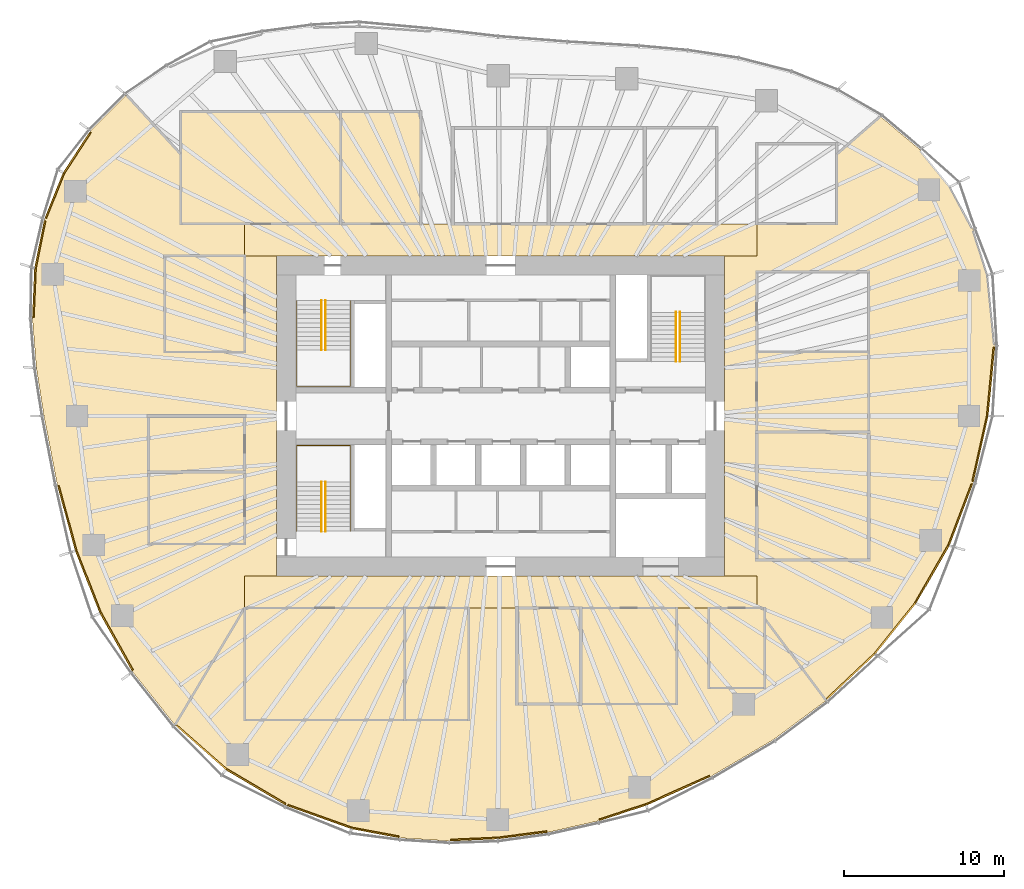
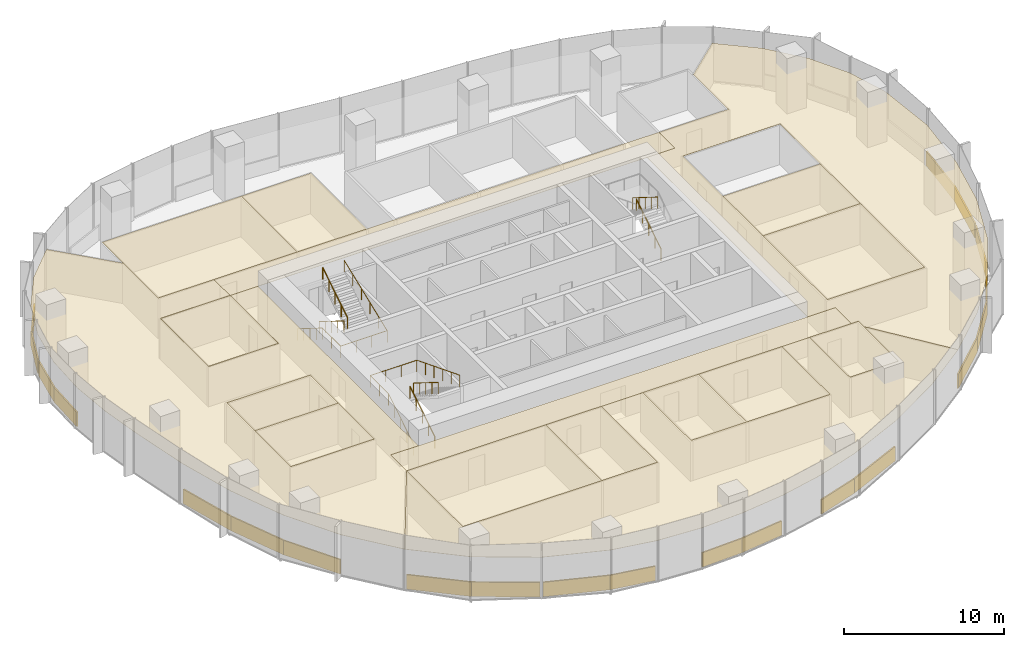
# One storey, part 17 of 18: 38 coverings, 8 railings.
"""IFC4 building model written with IfcOpenShell, lengths in metres."""

from ifc_helpers import new_model, si_unit, direction, frame, origin, origin_2d, place, context, subcontext, project, spatial, polyline, rectangle, circle, outline, extrude, material, layer, layer_set, type_object, element, save


model = new_model("IFC4")

# Units and contexts
model_context = context("Model", 3, precision=1e-05, world=origin(), true_north=direction((0.0, 1.0)))
body_context = subcontext(model_context, "Body", "Model", "MODEL_VIEW")
ifc_project = project(units=[si_unit("LENGTHUNIT", "METRE"), si_unit("AREAUNIT", "SQUARE_METRE"), si_unit("VOLUMEUNIT", "CUBIC_METRE"), si_unit("PLANEANGLEUNIT", "RADIAN"), si_unit("MASSUNIT", "GRAM", prefix="KILO")], contexts=[model_context])

# Site, building, storey
site_placement = place(None, origin())
site = spatial("IfcSite", under=ifc_project, at=site_placement, CompositionType="ELEMENT")
building_placement = place(site_placement, origin())
building = spatial("IfcBuilding", under=site, at=building_placement, Name="Ghaith Harvest Tower", CompositionType="ELEMENT")
storey_placement = place(building_placement, frame((0.0, 0.0, 163.800048828125)))
storey = spatial("IfcBuildingStorey", under=building, at=storey_placement, Name="L35", CompositionType="ELEMENT", Elevation=163.800048828125)

# Coverings
ifc_material_1 = material(Name="Mineral fibre ceiling tile", Category="gypsum")
ifc_layer_1 = layer(ifc_material_1, 0.02001953125)
ifc_layer_set_1 = layer_set([ifc_layer_1], Name="CEILING C1")
covering_type_1 = type_object("IfcCoveringType", Name="CEILING C1", PredefinedType="CEILING", material=ifc_layer_set_1)
covering_1_placement = place(storey_placement, frame((0.0, 0.0, 3.0)))
element("IfcCovering", 1, at=covering_1_placement, inside=storey, type_object=covering_type_1, Name="Ceiling L35-01", PredefinedType="CEILING", context=body_context, shape_type="SweptSolid", body=[
    extrude(outline(polyline([(-16.0, -19.0), (-6.0, -19.0), (-6.0, -12.0), (-16.0, -12.0), (-16.0, -19.0)])), origin(), (0.0, 0.0, 1.0), 0.02001953125),
])
covering_2_placement = place(storey_placement, frame((0.0, 0.0, 3.0)))
element("IfcCovering", 2, at=covering_2_placement, inside=storey, type_object=covering_type_1, Name="Ceiling L35-02", PredefinedType="CEILING", context=body_context, shape_type="SweptSolid", body=[
    extrude(outline(polyline([(-6.0, -19.0), (-2.0, -19.0), (-2.0, -12.0), (-6.0, -12.0), (-6.0, -19.0)])), origin(), (0.0, 0.0, 1.0), 0.02001953125),
])
covering_3_placement = place(storey_placement, frame((0.0, 0.0, 3.0)))
element("IfcCovering", 3, at=covering_3_placement, inside=storey, type_object=covering_type_1, Name="Ceiling L35-03", PredefinedType="CEILING", context=body_context, shape_type="SweptSolid", body=[
    extrude(outline(polyline([(1.0, -18.0), (5.0, -18.0), (5.0, -12.0), (1.0, -12.0), (1.0, -18.0)])), origin(), (0.0, 0.0, 1.0), 0.02001953125),
])
covering_4_placement = place(storey_placement, frame((0.0, 0.0, 3.0)))
element("IfcCovering", 4, at=covering_4_placement, inside=storey, type_object=covering_type_1, Name="Ceiling L35-04", PredefinedType="CEILING", context=body_context, shape_type="SweptSolid", body=[
    extrude(outline(polyline([(5.0, -18.0), (11.0, -18.0), (11.0, -12.0), (5.0, -12.0), (5.0, -18.0)])), origin(), (0.0, 0.0, 1.0), 0.02001953125),
])
covering_5_placement = place(storey_placement, frame((0.0, 0.0, 3.0)))
element("IfcCovering", 5, at=covering_5_placement, inside=storey, type_object=covering_type_1, Name="Ceiling L35-05", PredefinedType="CEILING", context=body_context, shape_type="SweptSolid", body=[
    extrude(outline(polyline([(-20.0, 12.0), (-10.0, 12.0), (-10.0, 19.0), (-20.0, 19.0), (-20.0, 12.0)])), origin(), (0.0, 0.0, 1.0), 0.02001953125),
])
covering_6_placement = place(storey_placement, frame((0.0, 0.0, 3.0)))
element("IfcCovering", 6, at=covering_6_placement, inside=storey, type_object=covering_type_1, Name="Ceiling L35-06", PredefinedType="CEILING", context=body_context, shape_type="SweptSolid", body=[
    extrude(outline(polyline([(-10.0, 12.0), (-5.0, 12.0), (-5.0, 19.0), (-10.0, 19.0), (-10.0, 12.0)])), origin(), (0.0, 0.0, 1.0), 0.02001953125),
])
covering_7_placement = place(storey_placement, frame((0.0, 0.0, 3.0)))
element("IfcCovering", 7, at=covering_7_placement, inside=storey, type_object=covering_type_1, Name="Ceiling L35-10", PredefinedType="CEILING", context=body_context, shape_type="SweptSolid", body=[
    extrude(outline(polyline([(16.0, -9.0), (23.0, -9.0), (23.0, -1.0), (16.0, -1.0), (16.0, -9.0)])), origin(), (0.0, 0.0, 1.0), 0.02001953125),
])
covering_8_placement = place(storey_placement, frame((0.0, 0.0, 3.0)))
element("IfcCovering", 8, at=covering_8_placement, inside=storey, type_object=covering_type_1, Name="Ceiling L35-11", PredefinedType="CEILING", context=body_context, shape_type="SweptSolid", body=[
    extrude(outline(polyline([(16.0, -1.0), (23.0, -1.0), (23.0, 4.0), (16.0, 4.0), (16.0, -1.0)])), origin(), (0.0, 0.0, 1.0), 0.02001953125),
])
covering_9_placement = place(storey_placement, frame((0.0, 0.0, 3.0)))
element("IfcCovering", 9, at=covering_9_placement, inside=storey, type_object=covering_type_1, Name="Ceiling L35-13", PredefinedType="CEILING", context=body_context, shape_type="SweptSolid", body=[
    extrude(outline(polyline([(-22.0, -8.0), (-16.0, -8.0), (-16.0, -3.5), (-22.0, -3.5), (-22.0, -8.0)])), origin(), (0.0, 0.0, 1.0), 0.02001953125),
])
covering_10_placement = place(storey_placement, frame((0.0, 0.0, 3.0)))
element("IfcCovering", 10, at=covering_10_placement, inside=storey, type_object=covering_type_1, Name="Ceiling L35-14", PredefinedType="CEILING", context=body_context, shape_type="SweptSolid", body=[
    extrude(outline(polyline([(-22.0, -3.5), (-16.0, -3.5), (-16.0, 0.0), (-22.0, 0.0), (-22.0, -3.5)])), origin(), (0.0, 0.0, 1.0), 0.02001953125),
])
covering_11_placement = place(storey_placement, frame((0.0, 0.0, 3.0)))
element("IfcCovering", 11, at=covering_11_placement, inside=storey, type_object=covering_type_1, Name="Ceiling L35-16", PredefinedType="CEILING", context=body_context, shape_type="SweptSolid", body=[
    extrude(outline(polyline([(13.0, -17.0), (16.5, -17.0), (16.5, -12.0), (13.0, -12.0), (13.0, -17.0)])), origin(), (0.0, 0.0, 1.0), 0.02001953125),
])
covering_12_placement = place(storey_placement, frame((0.0, 0.0, 3.0)))
element("IfcCovering", 12, at=covering_12_placement, inside=storey, type_object=covering_type_1, Name="Ceiling L35-17", PredefinedType="CEILING", context=body_context, shape_type="SweptSolid", body=[
    extrude(outline(polyline([(-21.0, 4.0), (-16.0, 4.0), (-16.0, 10.0), (-21.0, 10.0), (-21.0, 4.0)])), origin(), (0.0, 0.0, 1.0), 0.02001953125),
])
covering_13_placement = place(storey_placement, frame((0.0, 0.0, 3.0)))
element("IfcCovering", 13, at=covering_13_placement, inside=storey, type_object=covering_type_1, Name="Ceiling L35-C1", PredefinedType="CEILING", context=body_context, shape_type="SweptSolid", body=[
    extrude(outline(polyline([(16.0, 10.0), (-16.0, 10.0), (-16.0, 12.0), (16.0, 12.0), (16.0, 10.0)])), origin(), (0.0, 0.0, 1.0), 0.02001953125),
])
covering_14_placement = place(storey_placement, frame((0.0, 0.0, 3.0)))
element("IfcCovering", 14, at=covering_14_placement, inside=storey, type_object=covering_type_1, Name="Ceiling L35-C2", PredefinedType="CEILING", context=body_context, shape_type="SweptSolid", body=[
    extrude(outline(polyline([(-16.0, -10.0), (16.0, -10.0), (16.0, -12.0), (-16.0, -12.0), (-16.0, -10.0)])), origin(), (0.0, 0.0, 1.0), 0.02001953125),
])
covering_15_placement = place(storey_placement, frame((0.0, 0.0, 3.0)))
element("IfcCovering", 15, at=covering_15_placement, inside=storey, type_object=covering_type_1, Name="Ceiling L35-E1", PredefinedType="CEILING", context=body_context, shape_type="SweptSolid", body=[
    extrude(outline(polyline([(26.179443359375, 16.660888671875), (28.0888671875, 14.32568359375), (29.52294921875, 11.671875), (30.439208984375, 8.797607421875), (30.8798828125, 4.373046875), (30.458740234375, 0.0), (29.527099609375, -4.181396484375), (28.03125, -8.1015625), (25.94775390625, -11.714111328125), (23.400390625, -14.89208984375), (20.33935546875, -17.784912109375), (16.5, -12.66650390625), (16.5, -12.0), (16.0, -12.0), (16.0, -10.0), (14.0, -10.0), (14.0, 10.0), (16.0, 10.0), (16.0, 12.0), (21.0, 12.0), (21.0, 16.3466796875), (23.7275390625, 18.718017578125), (26.179443359375, 16.660888671875)]), holes=[polyline([(23.0, -9.0), (23.0, 9.0), (16.0, 9.0), (16.0, -9.0), (23.0, -9.0)])]), origin(), (0.0, 0.0, 1.0), 0.02001953125),
])
covering_16_placement = place(storey_placement, frame((0.0, 0.0, 3.0)))
element("IfcCovering", 16, at=covering_16_placement, inside=storey, type_object=covering_type_1, Name="Ceiling L35-S1", PredefinedType="CEILING", context=body_context, shape_type="SweptSolid", body=[
    extrude(outline(polyline([(17.054443359375, -20.22412109375), (13.163818359375, -22.510498046875), (9.09423828125, -24.326904296875), (6.09228515625, -25.308837890625), (2.99609375, -26.010009765625), (-0.180908203125, -26.423583984375), (-3.204833984375, -26.556884765625), (-6.2666015625, -26.366455078125), (-9.317138671875, -25.79638671875), (-13.4052734375, -24.33740234375), (-17.1728515625, -22.11181640625), (-20.35400390625, -19.31396484375), (-16.0, -12.0), (-16.0, -19.0), (-2.0, -19.0), (-2.0, -12.0), (1.0, -12.0), (1.0, -18.0), (11.0, -18.0), (11.0, -12.0), (13.0, -12.0), (13.0, -17.0), (16.5, -17.0), (16.5, -12.66650390625), (20.33935546875, -17.784912109375), (17.054443359375, -20.22412109375)])), origin(), (0.0, 0.0, 1.0), 0.02001953125),
])
covering_17_placement = place(storey_placement, frame((0.0, 0.0, 3.0)))
element("IfcCovering", 17, at=covering_17_placement, inside=storey, type_object=covering_type_1, Name="Ceiling L35-W1", PredefinedType="CEILING", context=body_context, shape_type="SweptSolid", body=[
    extrude(outline(polyline([(-27.70947265625, -4.285888671875), (-28.541259765625, 0.0), (-29.01171875, 2.978271484375), (-29.260498046875, 6.07177734375), (-29.12646484375, 9.230712890625), (-28.506591796875, 12.29638671875), (-27.33837890625, 15.204833984375), (-25.61962890625, 17.826416015625), (-23.398193359375, 20.06103515625), (-20.0, 16.3583984375), (-20.0, 12.0), (-16.0, 12.0), (-16.0, 10.010009765625), (-21.010009765625, 10.010009765625), (-21.010009765625, 3.989990234375), (-15.989990234375, 3.989990234375), (-15.989990234375, 10.0), (-14.0, 10.0), (-14.0, -10.0), (-16.0, -10.0), (-16.0, -12.0), (-20.35400390625, -19.31396484375), (-22.99169921875, -15.997802734375), (-25.046875, -12.32861328125), (-26.580078125, -8.423583984375), (-27.70947265625, -4.285888671875)]), holes=[polyline([(-16.0, -8.0), (-16.0, 0.0), (-22.0, 0.0), (-22.0, -8.0), (-16.0, -8.0)])]), origin(), (0.0, 0.0, 1.0), 0.02001953125),
])

# Railings
ifc_material_2 = material(Name="Steel, black powder-coated", Category="steel")
railing_type = type_object("IfcRailingType", Name="HANDRAIL HR1", PredefinedType="HANDRAIL", material=ifc_material_2)
railing_1_placement = place(storey_placement, frame((-11.199951171875, 7.199951171875, 0.175048828125)))
element("IfcRailing", 18, at=railing_1_placement, inside=storey, type_object=railing_type, Name="Handrail HR1 stair ST1 L35 flight 1 inner", PredefinedType="HANDRAIL", context=body_context, shape_type="SweptSolid", body=[
    extrude(circle(Radius=0.02392578125, at=origin_2d()), frame((0.0, 0.0, 0.8759765625), z_axis=(0.0, -0.848009633417, 0.529980812513), x_axis=(1.0, 0.0, 0.0)), (0.0, 0.0, 1.0), 3.6318359375),
    extrude(circle(Radius=0.02099609375, at=origin_2d()), origin(), (0.0, 0.0, 1.0), 0.851806640625),
    extrude(circle(Radius=0.02099609375, at=origin_2d()), frame((0.0, -0.77001953125, 0.481201171875)), (0.0, 0.0, 1.0), 0.851806640625),
    extrude(circle(Radius=0.02099609375, at=origin_2d()), frame((0.0, -1.5400390625, 0.96240234375)), (0.0, 0.0, 1.0), 0.851806640625),
    extrude(circle(Radius=0.02099609375, at=origin_2d()), frame((0.0, -2.309814453125, 1.443603515625)), (0.0, 0.0, 1.0), 0.851806640625),
    extrude(circle(Radius=0.02099609375, at=origin_2d()), frame((0.0, -3.079833984375, 1.9248046875)), (0.0, 0.0, 1.0), 0.851806640625),
])
railing_2_placement = place(storey_placement, frame((-10.949951171875, 4.1201171875, 2.27490234375)))
element("IfcRailing", 19, at=railing_2_placement, inside=storey, type_object=railing_type, Name="Handrail HR1 stair ST1 L35 flight 2 inner", PredefinedType="HANDRAIL", context=body_context, shape_type="SweptSolid", body=[
    extrude(circle(Radius=0.02392578125, at=origin_2d()), frame((0.0, 0.0, 0.8759765625), z_axis=(0.0, 0.847979421464, 0.530029150871), x_axis=(-1.0, 0.0, 0.0)), (0.0, 0.0, 1.0), 3.632080078125),
    extrude(circle(Radius=0.02099609375, at=origin_2d()), origin(), (0.0, 0.0, 1.0), 0.851806640625),
    extrude(circle(Radius=0.02099609375, at=origin_2d()), frame((0.0, 0.77001953125, 0.481201171875)), (0.0, 0.0, 1.0), 0.851806640625),
    extrude(circle(Radius=0.02099609375, at=origin_2d()), frame((0.0, 1.5400390625, 0.96240234375)), (0.0, 0.0, 1.0), 0.851806640625),
    extrude(circle(Radius=0.02099609375, at=origin_2d()), frame((0.0, 2.309814453125, 1.44384765625)), (0.0, 0.0, 1.0), 0.851806640625),
    extrude(circle(Radius=0.02099609375, at=origin_2d()), frame((0.0, 3.079833984375, 1.925048828125)), (0.0, 0.0, 1.0), 0.851806640625),
])
railing_3_placement = place(storey_placement, frame((-12.75, 7.199951171875, 0.175048828125)))
element("IfcRailing", 20, at=railing_3_placement, inside=storey, type_object=railing_type, Name="Handrail HR1 stair ST1 L35 wall side", PredefinedType="HANDRAIL", context=body_context, shape_type="SweptSolid", body=[
    extrude(circle(Radius=0.02392578125, at=origin_2d()), frame((0.0, 0.0, 0.8759765625), z_axis=(0.0, -0.848009633417, 0.529980812513), x_axis=(1.0, 0.0, 0.0)), (0.0, 0.0, 1.0), 3.6318359375),
    extrude(circle(Radius=0.02392578125, at=origin_2d()), frame((0.0, -3.079833984375, 2.80078125), z_axis=(0.0, -1.0, 0.0), x_axis=(1.0, 0.0, 0.0)), (0.0, 0.0, 1.0), 2.27001953125),
    extrude(circle(Radius=0.02392578125, at=origin_2d()), frame((0.0, -5.349853515625, 2.80078125), z_axis=(1.0, 0.0, 0.0), x_axis=(0.0, 1.0, 0.0)), (0.0, 0.0, 1.0), 3.35009765625),
    extrude(circle(Radius=0.02392578125, at=origin_2d()), frame((3.35009765625, -5.349853515625, 2.80078125), z_axis=(0.0, 0.930848013298, 0.36540659017), x_axis=(-1.0, 0.0, 0.0)), (0.0, 0.0, 1.0), 5.747314453125),
    extrude(circle(Radius=0.02099609375, at=origin_2d()), origin(), (0.0, 0.0, 1.0), 0.851806640625),
    extrude(circle(Radius=0.02099609375, at=origin_2d()), frame((0.0, -0.77001953125, 0.481201171875)), (0.0, 0.0, 1.0), 0.851806640625),
    extrude(circle(Radius=0.02099609375, at=origin_2d()), frame((0.0, -1.5400390625, 0.96240234375)), (0.0, 0.0, 1.0), 0.851806640625),
    extrude(circle(Radius=0.02099609375, at=origin_2d()), frame((0.0, -2.309814453125, 1.443603515625)), (0.0, 0.0, 1.0), 0.851806640625),
    extrude(circle(Radius=0.02099609375, at=origin_2d()), frame((0.0, -3.079833984375, 1.9248046875)), (0.0, 0.0, 1.0), 0.851806640625),
    extrude(circle(Radius=0.02099609375, at=origin_2d()), frame((0.0, -4.21484375, 1.9248046875)), (0.0, 0.0, 1.0), 0.851806640625),
    extrude(circle(Radius=0.02099609375, at=origin_2d()), frame((0.0, -5.349853515625, 1.9248046875)), (0.0, 0.0, 1.0), 0.851806640625),
    extrude(circle(Radius=0.02099609375, at=origin_2d()), frame((1.11669921875, -5.349853515625, 1.9248046875)), (0.0, 0.0, 1.0), 0.851806640625),
    extrude(circle(Radius=0.02099609375, at=origin_2d()), frame((2.2333984375, -5.349853515625, 1.9248046875)), (0.0, 0.0, 1.0), 0.851806640625),
    extrude(circle(Radius=0.02099609375, at=origin_2d()), frame((3.35009765625, -5.349853515625, 1.9248046875)), (0.0, 0.0, 1.0), 0.851806640625),
    extrude(circle(Radius=0.02099609375, at=origin_2d()), frame((3.35009765625, -4.27978515625, 2.3447265625)), (0.0, 0.0, 1.0), 0.851806640625),
    extrude(circle(Radius=0.02099609375, at=origin_2d()), frame((3.35009765625, -3.2099609375, 2.764892578125)), (0.0, 0.0, 1.0), 0.851806640625),
    extrude(circle(Radius=0.02099609375, at=origin_2d()), frame((3.35009765625, -2.139892578125, 3.184814453125)), (0.0, 0.0, 1.0), 0.851806640625),
    extrude(circle(Radius=0.02099609375, at=origin_2d()), frame((3.35009765625, -1.070068359375, 3.60498046875)), (0.0, 0.0, 1.0), 0.851806640625),
    extrude(circle(Radius=0.02099609375, at=origin_2d()), frame((3.35009765625, 0.0, 4.02490234375)), (0.0, 0.0, 1.0), 0.851806640625),
])
railing_4_placement = place(storey_placement, frame((-11.199951171875, -7.199951171875, 0.175048828125)))
element("IfcRailing", 21, at=railing_4_placement, inside=storey, type_object=railing_type, Name="Handrail HR1 stair ST3 L35 flight 1 inner", PredefinedType="HANDRAIL", context=body_context, shape_type="SweptSolid", body=[
    extrude(circle(Radius=0.02392578125, at=origin_2d()), frame((0.0, 0.0, 0.8759765625), z_axis=(0.0, 0.848009633417, 0.529980812513), x_axis=(-1.0, 0.0, 0.0)), (0.0, 0.0, 1.0), 3.6318359375),
    extrude(circle(Radius=0.02099609375, at=origin_2d()), origin(), (0.0, 0.0, 1.0), 0.851806640625),
    extrude(circle(Radius=0.02099609375, at=origin_2d()), frame((0.0, 0.77001953125, 0.481201171875)), (0.0, 0.0, 1.0), 0.851806640625),
    extrude(circle(Radius=0.02099609375, at=origin_2d()), frame((0.0, 1.5400390625, 0.96240234375)), (0.0, 0.0, 1.0), 0.851806640625),
    extrude(circle(Radius=0.02099609375, at=origin_2d()), frame((0.0, 2.309814453125, 1.443603515625)), (0.0, 0.0, 1.0), 0.851806640625),
    extrude(circle(Radius=0.02099609375, at=origin_2d()), frame((0.0, 3.079833984375, 1.9248046875)), (0.0, 0.0, 1.0), 0.851806640625),
])
railing_5_placement = place(storey_placement, frame((-10.949951171875, -4.1201171875, 2.27490234375)))
element("IfcRailing", 22, at=railing_5_placement, inside=storey, type_object=railing_type, Name="Handrail HR1 stair ST3 L35 flight 2 inner", PredefinedType="HANDRAIL", context=body_context, shape_type="SweptSolid", body=[
    extrude(circle(Radius=0.02392578125, at=origin_2d()), frame((0.0, 0.0, 0.8759765625), z_axis=(0.0, -0.847979421464, 0.530029150871), x_axis=(1.0, 0.0, 0.0)), (0.0, 0.0, 1.0), 3.632080078125),
    extrude(circle(Radius=0.02099609375, at=origin_2d()), origin(), (0.0, 0.0, 1.0), 0.851806640625),
    extrude(circle(Radius=0.02099609375, at=origin_2d()), frame((0.0, -0.77001953125, 0.481201171875)), (0.0, 0.0, 1.0), 0.851806640625),
    extrude(circle(Radius=0.02099609375, at=origin_2d()), frame((0.0, -1.5400390625, 0.96240234375)), (0.0, 0.0, 1.0), 0.851806640625),
    extrude(circle(Radius=0.02099609375, at=origin_2d()), frame((0.0, -2.309814453125, 1.44384765625)), (0.0, 0.0, 1.0), 0.851806640625),
    extrude(circle(Radius=0.02099609375, at=origin_2d()), frame((0.0, -3.079833984375, 1.925048828125)), (0.0, 0.0, 1.0), 0.851806640625),
])
railing_6_placement = place(storey_placement, frame((-12.75, -7.199951171875, 0.175048828125)))
element("IfcRailing", 23, at=railing_6_placement, inside=storey, type_object=railing_type, Name="Handrail HR1 stair ST3 L35 wall side", PredefinedType="HANDRAIL", context=body_context, shape_type="SweptSolid", body=[
    extrude(circle(Radius=0.02392578125, at=origin_2d()), frame((0.0, 0.0, 0.8759765625), z_axis=(0.0, 0.848009633417, 0.529980812513), x_axis=(-1.0, 0.0, 0.0)), (0.0, 0.0, 1.0), 3.6318359375),
    extrude(circle(Radius=0.02392578125, at=origin_2d()), frame((0.0, 3.079833984375, 2.80078125), z_axis=(0.0, 1.0, 0.0), x_axis=(-1.0, 0.0, 0.0)), (0.0, 0.0, 1.0), 2.27001953125),
    extrude(circle(Radius=0.02392578125, at=origin_2d()), frame((0.0, 5.349853515625, 2.80078125), z_axis=(1.0, 0.0, 0.0), x_axis=(0.0, 1.0, 0.0)), (0.0, 0.0, 1.0), 3.35009765625),
    extrude(circle(Radius=0.02392578125, at=origin_2d()), frame((3.35009765625, 5.349853515625, 2.80078125), z_axis=(0.0, -0.930848013298, 0.36540659017), x_axis=(1.0, 0.0, 0.0)), (0.0, 0.0, 1.0), 5.747314453125),
    extrude(circle(Radius=0.02099609375, at=origin_2d()), origin(), (0.0, 0.0, 1.0), 0.851806640625),
    extrude(circle(Radius=0.02099609375, at=origin_2d()), frame((0.0, 0.77001953125, 0.481201171875)), (0.0, 0.0, 1.0), 0.851806640625),
    extrude(circle(Radius=0.02099609375, at=origin_2d()), frame((0.0, 1.5400390625, 0.96240234375)), (0.0, 0.0, 1.0), 0.851806640625),
    extrude(circle(Radius=0.02099609375, at=origin_2d()), frame((0.0, 2.309814453125, 1.443603515625)), (0.0, 0.0, 1.0), 0.851806640625),
    extrude(circle(Radius=0.02099609375, at=origin_2d()), frame((0.0, 3.079833984375, 1.9248046875)), (0.0, 0.0, 1.0), 0.851806640625),
    extrude(circle(Radius=0.02099609375, at=origin_2d()), frame((0.0, 4.21484375, 1.9248046875)), (0.0, 0.0, 1.0), 0.851806640625),
    extrude(circle(Radius=0.02099609375, at=origin_2d()), frame((0.0, 5.349853515625, 1.9248046875)), (0.0, 0.0, 1.0), 0.851806640625),
    extrude(circle(Radius=0.02099609375, at=origin_2d()), frame((1.11669921875, 5.349853515625, 1.9248046875)), (0.0, 0.0, 1.0), 0.851806640625),
    extrude(circle(Radius=0.02099609375, at=origin_2d()), frame((2.2333984375, 5.349853515625, 1.9248046875)), (0.0, 0.0, 1.0), 0.851806640625),
    extrude(circle(Radius=0.02099609375, at=origin_2d()), frame((3.35009765625, 5.349853515625, 1.9248046875)), (0.0, 0.0, 1.0), 0.851806640625),
    extrude(circle(Radius=0.02099609375, at=origin_2d()), frame((3.35009765625, 4.27978515625, 2.3447265625)), (0.0, 0.0, 1.0), 0.851806640625),
    extrude(circle(Radius=0.02099609375, at=origin_2d()), frame((3.35009765625, 3.2099609375, 2.764892578125)), (0.0, 0.0, 1.0), 0.851806640625),
    extrude(circle(Radius=0.02099609375, at=origin_2d()), frame((3.35009765625, 2.139892578125, 3.184814453125)), (0.0, 0.0, 1.0), 0.851806640625),
    extrude(circle(Radius=0.02099609375, at=origin_2d()), frame((3.35009765625, 1.070068359375, 3.60498046875)), (0.0, 0.0, 1.0), 0.851806640625),
    extrude(circle(Radius=0.02099609375, at=origin_2d()), frame((3.35009765625, 0.0, 4.02490234375)), (0.0, 0.0, 1.0), 0.851806640625),
])
railing_7_placement = place(storey_placement, frame((11.199951171875, 3.39990234375, 0.175048828125)))
element("IfcRailing", 24, at=railing_7_placement, inside=storey, type_object=railing_type, Name="Handrail HR1 stair ST2 L35 flight 1 inner", PredefinedType="HANDRAIL", context=body_context, shape_type="SweptSolid", body=[
    extrude(circle(Radius=0.02392578125, at=origin_2d()), frame((0.0, 0.0, 0.8759765625), z_axis=(0.0, 0.848028513186, 0.529950602248), x_axis=(-1.0, 0.0, 0.0)), (0.0, 0.0, 1.0), 3.632080078125),
    extrude(circle(Radius=0.02099609375, at=origin_2d()), origin(), (0.0, 0.0, 1.0), 0.851806640625),
    extrude(circle(Radius=0.02099609375, at=origin_2d()), frame((0.0, 0.77001953125, 0.481201171875)), (0.0, 0.0, 1.0), 0.851806640625),
    extrude(circle(Radius=0.02099609375, at=origin_2d()), frame((0.0, 1.5400390625, 0.96240234375)), (0.0, 0.0, 1.0), 0.851806640625),
    extrude(circle(Radius=0.02099609375, at=origin_2d()), frame((0.0, 2.31005859375, 1.443603515625)), (0.0, 0.0, 1.0), 0.851806640625),
    extrude(circle(Radius=0.02099609375, at=origin_2d()), frame((0.0, 3.080078125, 1.9248046875)), (0.0, 0.0, 1.0), 0.851806640625),
])
railing_8_placement = place(storey_placement, frame((10.949951171875, 6.47998046875, 2.27490234375)))
element("IfcRailing", 25, at=railing_8_placement, inside=storey, type_object=railing_type, Name="Handrail HR1 stair ST2 L35 flight 2 inner", PredefinedType="HANDRAIL", context=body_context, shape_type="SweptSolid", body=[
    extrude(circle(Radius=0.02392578125, at=origin_2d()), frame((0.0, 0.0, 0.8759765625), z_axis=(0.0, -0.847998304005, 0.529998940003), x_axis=(1.0, 0.0, 0.0)), (0.0, 0.0, 1.0), 3.632080078125),
    extrude(circle(Radius=0.02099609375, at=origin_2d()), origin(), (0.0, 0.0, 1.0), 0.851806640625),
    extrude(circle(Radius=0.02099609375, at=origin_2d()), frame((0.0, -0.77001953125, 0.481201171875)), (0.0, 0.0, 1.0), 0.851806640625),
    extrude(circle(Radius=0.02099609375, at=origin_2d()), frame((0.0, -1.5400390625, 0.96240234375)), (0.0, 0.0, 1.0), 0.851806640625),
    extrude(circle(Radius=0.02099609375, at=origin_2d()), frame((0.0, -2.31005859375, 1.44384765625)), (0.0, 0.0, 1.0), 0.851806640625),
    extrude(circle(Radius=0.02099609375, at=origin_2d()), frame((0.0, -3.080078125, 1.925048828125)), (0.0, 0.0, 1.0), 0.851806640625),
])

# Coverings
ifc_material_3 = material(Name="Insulated aluminium spandrel panel on steel framing", Category="steel")
ifc_layer_2 = layer(ifc_material_3, 0.10009765625)
ifc_layer_set_2 = layer_set([ifc_layer_2], Name="SLAB EDGE UPSTAND 1100x100")
covering_type_2 = type_object("IfcCoveringType", Name="SLAB EDGE UPSTAND 1100x100", PredefinedType="CLADDING", material=ifc_layer_set_2)
covering_18_placement = place(storey_placement, frame((30.61474609375, 2.1416015625, 0.0), z_axis=(0.0, 0.0, 1.0), x_axis=(0.095861332319, 0.99539469808, 0.0)))
element("IfcCovering", 26, at=covering_18_placement, inside=storey, type_object=covering_type_2, Name="Slab edge upstand 1 bay 01 L35", PredefinedType="CLADDING", context=body_context, shape_type="SweptSolid", body=[
    extrude(rectangle(XDim=4.293212890625, YDim=0.10009765625, at=origin_2d()), origin(), (0.0, 0.0, 1.0), 1.10009765625),
])
covering_19_placement = place(storey_placement, frame((-26.464599609375, 16.4462890625, 0.0), z_axis=(0.0, 0.0, 1.0), x_axis=(-0.548312211554, -0.836273710373, 0.0)))
element("IfcCovering", 27, at=covering_19_placement, inside=storey, type_object=covering_type_2, Name="Slab edge upstand 1 bay 09 L35", PredefinedType="CLADDING", context=body_context, shape_type="SweptSolid", body=[
    extrude(rectangle(XDim=3.03466796875, YDim=0.10009765625, at=origin_2d()), origin(), (0.0, 0.0, 1.0), 1.10009765625),
])
covering_20_placement = place(storey_placement, frame((-27.857421875, 13.7783203125, 0.0), z_axis=(0.0, 0.0, 1.0), x_axis=(-0.372732078847, -0.927939005215, 0.0)))
element("IfcCovering", 28, at=covering_20_placement, inside=storey, type_object=covering_type_2, Name="Slab edge upstand 2 bay 09 L35", PredefinedType="CLADDING", context=body_context, shape_type="SweptSolid", body=[
    extrude(rectangle(XDim=3.034423828125, YDim=0.10009765625, at=origin_2d()), origin(), (0.0, 0.0, 1.0), 1.10009765625),
])
covering_21_placement = place(storey_placement, frame((-28.777587890625, 10.70458984375, 0.0), z_axis=(0.0, 0.0, 1.0), x_axis=(-0.198182542943, -0.980165128778, 0.0)))
element("IfcCovering", 29, at=covering_21_placement, inside=storey, type_object=covering_type_2, Name="Slab edge upstand 3 bay 09 L35", PredefinedType="CLADDING", context=body_context, shape_type="SweptSolid", body=[
    extrude(rectangle(XDim=3.027587890625, YDim=0.10009765625, at=origin_2d()), origin(), (0.0, 0.0, 1.0), 1.10009765625),
])
covering_22_placement = place(storey_placement, frame((-29.141357421875, 7.69921875, 0.0), z_axis=(0.0, 0.0, 1.0), x_axis=(-0.042372799788, -0.9991018696, 0.0)))
element("IfcCovering", 30, at=covering_22_placement, inside=storey, type_object=covering_type_2, Name="Slab edge upstand 1 bay 10 L35", PredefinedType="CLADDING", context=body_context, shape_type="SweptSolid", body=[
    extrude(rectangle(XDim=3.061767578125, YDim=0.10009765625, at=origin_2d()), origin(), (0.0, 0.0, 1.0), 1.10009765625),
])
covering_23_placement = place(storey_placement, frame((-27.08349609375, -6.389892578125, 0.0), z_axis=(0.0, 0.0, 1.0), x_axis=(0.263287721652, -0.964717355305, 0.0)))
element("IfcCovering", 31, at=covering_23_placement, inside=storey, type_object=covering_type_2, Name="Slab edge upstand 2 bay 11 L35", PredefinedType="CLADDING", context=body_context, shape_type="SweptSolid", body=[
    extrude(rectangle(XDim=4.189208984375, YDim=0.10009765625, at=origin_2d()), origin(), (0.0, 0.0, 1.0), 1.10009765625),
])
covering_24_placement = place(storey_placement, frame((-25.76708984375, -10.35791015625, 0.0), z_axis=(0.0, 0.0, 1.0), x_axis=(0.365514970008, -0.930805461254, 0.0)))
element("IfcCovering", 32, at=covering_24_placement, inside=storey, type_object=covering_type_2, Name="Slab edge upstand 1 bay 12 L35", PredefinedType="CLADDING", context=body_context, shape_type="SweptSolid", body=[
    extrude(rectangle(XDim=4.195068359375, YDim=0.10009765625, at=origin_2d()), origin(), (0.0, 0.0, 1.0), 1.10009765625),
])
covering_25_placement = place(storey_placement, frame((-24.0, -14.09521484375, 0.0), z_axis=(0.0, 0.0, 1.0), x_axis=(0.488683758288, -0.872460993045, 0.0)))
element("IfcCovering", 33, at=covering_25_placement, inside=storey, type_object=covering_type_2, Name="Slab edge upstand 2 bay 12 L35", PredefinedType="CLADDING", context=body_context, shape_type="SweptSolid", body=[
    extrude(rectangle(XDim=4.10546875, YDim=0.10009765625, at=origin_2d()), origin(), (0.0, 0.0, 1.0), 1.10009765625),
])
covering_26_placement = place(storey_placement, frame((-18.69287109375, -20.70849609375, 0.0), z_axis=(0.0, 0.0, 1.0), x_axis=(0.75089221411, -0.660424774511, 0.0)))
element("IfcCovering", 34, at=covering_26_placement, inside=storey, type_object=covering_type_2, Name="Slab edge upstand 2 bay 13 L35", PredefinedType="CLADDING", context=body_context, shape_type="SweptSolid", body=[
    extrude(rectangle(XDim=4.136474609375, YDim=0.10009765625, at=origin_2d()), origin(), (0.0, 0.0, 1.0), 1.10009765625),
])
covering_27_placement = place(storey_placement, frame((-15.306640625, -23.15625, 0.0), z_axis=(0.0, 0.0, 1.0), x_axis=(0.861020519069, -0.508570217121, 0.0)))
element("IfcCovering", 35, at=covering_27_placement, inside=storey, type_object=covering_type_2, Name="Slab edge upstand 1 bay 14 L35", PredefinedType="CLADDING", context=body_context, shape_type="SweptSolid", body=[
    extrude(rectangle(XDim=4.27587890625, YDim=0.10009765625, at=origin_2d()), origin(), (0.0, 0.0, 1.0), 1.10009765625),
])
covering_28_placement = place(storey_placement, frame((-11.29736328125, -25.03662109375, 0.0), z_axis=(0.0, 0.0, 1.0), x_axis=(0.941807015649, -0.336154049915, 0.0)))
element("IfcCovering", 36, at=covering_28_placement, inside=storey, type_object=covering_type_2, Name="Slab edge upstand 2 bay 14 L35", PredefinedType="CLADDING", context=body_context, shape_type="SweptSolid", body=[
    extrude(rectangle(XDim=4.24072265625, YDim=0.10009765625, at=origin_2d()), origin(), (0.0, 0.0, 1.0), 1.10009765625),
])
covering_29_placement = place(storey_placement, frame((-7.831787109375, -26.023193359375, 0.0), z_axis=(0.0, 0.0, 1.0), x_axis=(0.982990071164, -0.183658705191, 0.0)))
element("IfcCovering", 37, at=covering_29_placement, inside=storey, type_object=covering_type_2, Name="Slab edge upstand 1 bay 15 L35", PredefinedType="CLADDING", context=body_context, shape_type="SweptSolid", body=[
    extrude(rectangle(XDim=3.003173828125, YDim=0.10009765625, at=origin_2d()), origin(), (0.0, 0.0, 1.0), 1.10009765625),
])
covering_30_placement = place(storey_placement, frame((-1.64501953125, -26.43798828125, 0.0), z_axis=(0.0, 0.0, 1.0), x_axis=(0.999029547734, 0.044045008275, 0.0)))
element("IfcCovering", 38, at=covering_30_placement, inside=storey, type_object=covering_type_2, Name="Slab edge upstand 3 bay 15 L35", PredefinedType="CLADDING", context=body_context, shape_type="SweptSolid", body=[
    extrude(rectangle(XDim=2.927001953125, YDim=0.10009765625, at=origin_2d()), origin(), (0.0, 0.0, 1.0), 1.10009765625),
])
covering_31_placement = place(storey_placement, frame((1.3515625, -26.173583984375, 0.0), z_axis=(0.0, 0.0, 1.0), x_axis=(0.991633707242, 0.129083657611, 0.0)))
element("IfcCovering", 39, at=covering_31_placement, inside=storey, type_object=covering_type_2, Name="Slab edge upstand 1 bay 16 L35", PredefinedType="CLADDING", context=body_context, shape_type="SweptSolid", body=[
    extrude(rectangle(XDim=3.103759765625, YDim=0.10009765625, at=origin_2d()), origin(), (0.0, 0.0, 1.0), 1.10009765625),
])
covering_32_placement = place(storey_placement, frame((7.625244140625, -24.754638671875, 0.0), z_axis=(0.0, 0.0, 1.0), x_axis=(0.950441392134, 0.310903779518, 0.0)))
element("IfcCovering", 40, at=covering_32_placement, inside=storey, type_object=covering_type_2, Name="Slab edge upstand 3 bay 16 L35", PredefinedType="CLADDING", context=body_context, shape_type="SweptSolid", body=[
    extrude(rectangle(XDim=3.05859375, YDim=0.10009765625, at=origin_2d()), origin(), (0.0, 0.0, 1.0), 1.10009765625),
])
covering_33_placement = place(storey_placement, frame((11.06298828125, -23.393310546875, 0.0), z_axis=(0.0, 0.0, 1.0), x_axis=(0.913170343632, 0.407578119519, 0.0)))
element("IfcCovering", 41, at=covering_33_placement, inside=storey, type_object=covering_type_2, Name="Slab edge upstand 1 bay 17 L35", PredefinedType="CLADDING", context=body_context, shape_type="SweptSolid", body=[
    extrude(rectangle(XDim=4.356689453125, YDim=0.10009765625, at=origin_2d()), origin(), (0.0, 0.0, 1.0), 1.10009765625),
])
covering_34_placement = place(storey_placement, frame((21.871826171875, -16.267822265625, 0.0), z_axis=(0.0, 0.0, 1.0), x_axis=(0.72680962062, 0.686838973395, 0.0)))
element("IfcCovering", 42, at=covering_34_placement, inside=storey, type_object=covering_type_2, Name="Slab edge upstand 2 bay 18 L35", PredefinedType="CLADDING", context=body_context, shape_type="SweptSolid", body=[
    extrude(rectangle(XDim=4.111572265625, YDim=0.10009765625, at=origin_2d()), origin(), (0.0, 0.0, 1.0), 1.10009765625),
])
covering_35_placement = place(storey_placement, frame((24.635009765625, -13.27197265625, 0.0), z_axis=(0.0, 0.0, 1.0), x_axis=(0.625468377377, 0.780249517079, 0.0)))
element("IfcCovering", 43, at=covering_35_placement, inside=storey, type_object=covering_type_2, Name="Slab edge upstand 1 bay 19 L35", PredefinedType="CLADDING", context=body_context, shape_type="SweptSolid", body=[
    extrude(rectangle(XDim=4.072998046875, YDim=0.10009765625, at=origin_2d()), origin(), (0.0, 0.0, 1.0), 1.10009765625),
])
covering_36_placement = place(storey_placement, frame((26.9462890625, -9.8828125, 0.0), z_axis=(0.0, 0.0, 1.0), x_axis=(0.499596169173, 0.866258430117, 0.0)))
element("IfcCovering", 44, at=covering_36_placement, inside=storey, type_object=covering_type_2, Name="Slab edge upstand 2 bay 19 L35", PredefinedType="CLADDING", context=body_context, shape_type="SweptSolid", body=[
    extrude(rectangle(XDim=4.170166015625, YDim=0.10009765625, at=origin_2d()), origin(), (0.0, 0.0, 1.0), 1.10009765625),
])
covering_37_placement = place(storey_placement, frame((28.714599609375, -6.17041015625, 0.0), z_axis=(0.0, 0.0, 1.0), x_axis=(0.356503850378, 0.934293853488, 0.0)))
element("IfcCovering", 45, at=covering_37_placement, inside=storey, type_object=covering_type_2, Name="Slab edge upstand 1 bay 20 L35", PredefinedType="CLADDING", context=body_context, shape_type="SweptSolid", body=[
    extrude(rectangle(XDim=4.095947265625, YDim=0.10009765625, at=origin_2d()), origin(), (0.0, 0.0, 1.0), 1.10009765625),
])
covering_38_placement = place(storey_placement, frame((29.955078125, -2.031005859375, 0.0), z_axis=(0.0, 0.0, 1.0), x_axis=(0.217466241983, 0.976067842723, 0.0)))
element("IfcCovering", 46, at=covering_38_placement, inside=storey, type_object=covering_type_2, Name="Slab edge upstand 2 bay 20 L35", PredefinedType="CLADDING", context=body_context, shape_type="SweptSolid", body=[
    extrude(rectangle(XDim=4.183837890625, YDim=0.10009765625, at=origin_2d()), origin(), (0.0, 0.0, 1.0), 1.10009765625),
])

save(model, "model.ifc")
